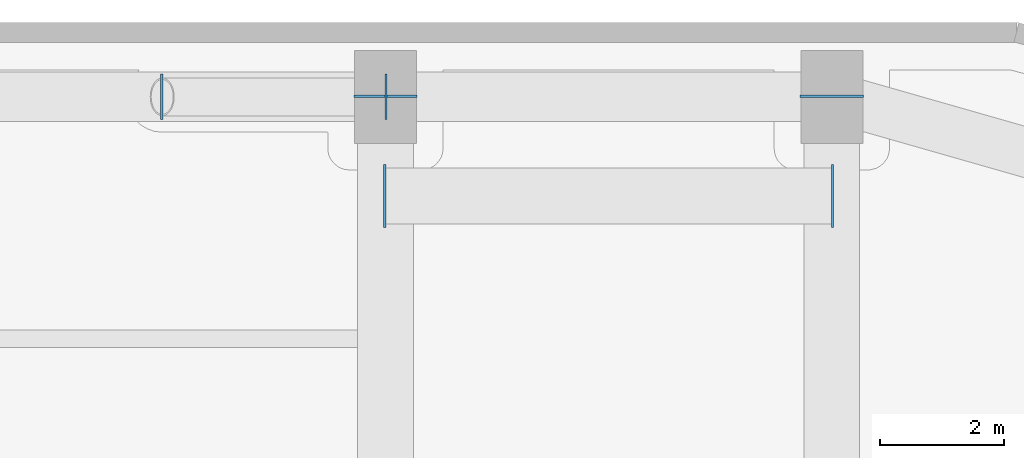
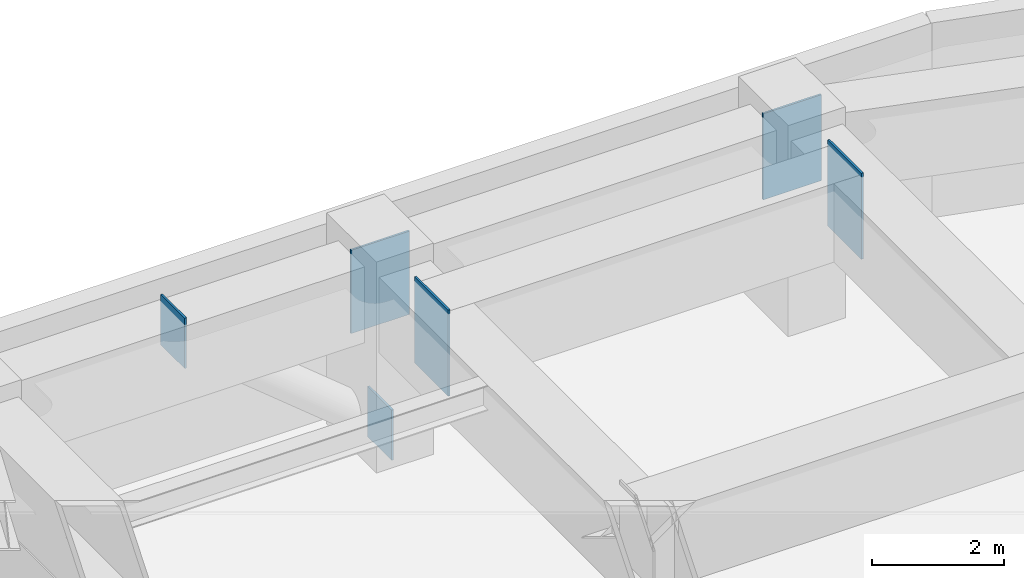
# One storey, part 21 of 28: 6 plates.
"""IFC4 building model written with IfcOpenShell, lengths in metres."""

from ifc_helpers import new_model, si_unit, direction, frame, origin, origin_2d, place, context, subcontext, project, spatial, rectangle, extrude, material, layer, layer_set, type_object, element, save


model = new_model("IFC4")

# Units and contexts
model_context = context("Model", 3, precision=1e-05, world=origin(), true_north=direction((0.0, 1.0)))
body_context = subcontext(model_context, "Body", "Model", "MODEL_VIEW")
ifc_project = project(units=[si_unit("LENGTHUNIT", "METRE"), si_unit("AREAUNIT", "SQUARE_METRE"), si_unit("VOLUMEUNIT", "CUBIC_METRE"), si_unit("PLANEANGLEUNIT", "RADIAN"), si_unit("MASSUNIT", "GRAM", prefix="KILO")], contexts=[model_context])

# Site, building, storey
site_placement = place(None, origin())
site = spatial("IfcSite", under=ifc_project, at=site_placement, CompositionType="ELEMENT")
building_placement = place(site_placement, origin())
building = spatial("IfcBuilding", under=site, at=building_placement, Name="Kiyonajd Concourse Tower", CompositionType="ELEMENT")
storey_placement = place(building_placement, frame((0.0, 0.0, 76.800048828125)))
storey = spatial("IfcBuildingStorey", under=building, at=storey_placement, Name="L20", CompositionType="ELEMENT", Elevation=76.800048828125)

# Plates
ifc_material = material(Name="Steel ASTM A572 Grade 50", Category="steel")
ifc_layer_1 = layer(ifc_material, 0.028076171875)
ifc_layer_set_1 = layer_set([ifc_layer_1], Name="Steel ASTM A572 Grade 50")
plate_type_1 = type_object("IfcPlateType", Name="PL-CAP-450", PredefinedType="USERDEFINED", material=ifc_layer_set_1)
for number, where, z_axis, x_axis, name in (
    (1, (63.6083984375, 61.199951171875, -0.17138671875), (0.0, 0.0, 1.0), (1.0, 0.0, 0.0), "L20 Hollow Brace End Cap Plate PBN"),
    (2, (59.991455078125, 61.199951171875, 2.79248046875), (0.0, 0.0, 1.0), (-1.0, 0.0, 0.0), "L20 Hollow Brace Top Cap Plate PBN"),
):
    element("IfcPlate", number, at=place(storey_placement, frame(where, z_axis=z_axis, x_axis=x_axis)), inside=storey, type_object=plate_type_1, Name=name, ObjectType="CAP PLATE", PredefinedType="USERDEFINED", context=body_context, shape_type="SweptSolid", body=[
        extrude(rectangle(XDim=0.035888671875, YDim=0.72998046875, at=origin_2d()), origin(), (0.0, 0.0, 1.0), 0.928955078125),
    ])
ifc_layer_2 = layer(ifc_material, 0.031982421875)
ifc_layer_set_2 = layer_set([ifc_layer_2], Name="Steel ASTM A572 Grade 50")
plate_type_2 = type_object("IfcPlateType", Name="PL-CAP-540", PredefinedType="USERDEFINED", material=ifc_layer_set_2)
for number, where, z_axis, x_axis, name in (
    (3, (63.589111328125, 59.60009765625, 2.080078125), (0.0, 0.0, 1.0), (-1.0, 0.0, 0.0), "L20 Transfer Box Cap Plate"),
    (4, (70.81103515625, 59.60009765625, 2.080078125), (0.0, 0.0, 1.0), (1.0, 0.0, 0.0), "L20 Transfer Box Cap Plate"),
):
    element("IfcPlate", number, at=place(storey_placement, frame(where, z_axis=z_axis, x_axis=x_axis)), inside=storey, type_object=plate_type_2, Name=name, ObjectType="CAP PLATE", PredefinedType="USERDEFINED", context=body_context, shape_type="SweptSolid", body=[
        extrude(rectangle(XDim=0.035888671875, YDim=1.02001953125, at=origin_2d()), origin(), (0.0, 0.0, 1.0), 1.590087890625),
    ])
plate_1_placement = place(storey_placement, frame((63.60009765625, 61.2109375, 2.1298828125), z_axis=(0.0, 0.0, 1.0), x_axis=(0.0, 1.0, 0.0)))
element("IfcPlate", 5, at=plate_1_placement, inside=storey, type_object=plate_type_2, Name="L20 Welded Box Girder End Cap", ObjectType="CAP PLATE", PredefinedType="USERDEFINED", context=body_context, shape_type="SweptSolid", body=[
    extrude(rectangle(XDim=0.035888671875, YDim=1.02001953125, at=origin_2d()), origin(), (0.0, 0.0, 1.0), 1.5400390625),
])
plate_2_placement = place(storey_placement, frame((70.800048828125, 61.2109375, 2.080078125), z_axis=(0.0, 0.0, 1.0), x_axis=(0.0, 1.0, 0.0)))
element("IfcPlate", 6, at=plate_2_placement, inside=storey, type_object=plate_type_2, Name="L20 Welded Box Girder End Cap", ObjectType="CAP PLATE", PredefinedType="USERDEFINED", context=body_context, shape_type="SweptSolid", body=[
    extrude(rectangle(XDim=0.035888671875, YDim=1.02001953125, at=origin_2d()), origin(), (0.0, 0.0, 1.0), 1.590087890625),
])

save(model, "model.ifc")
